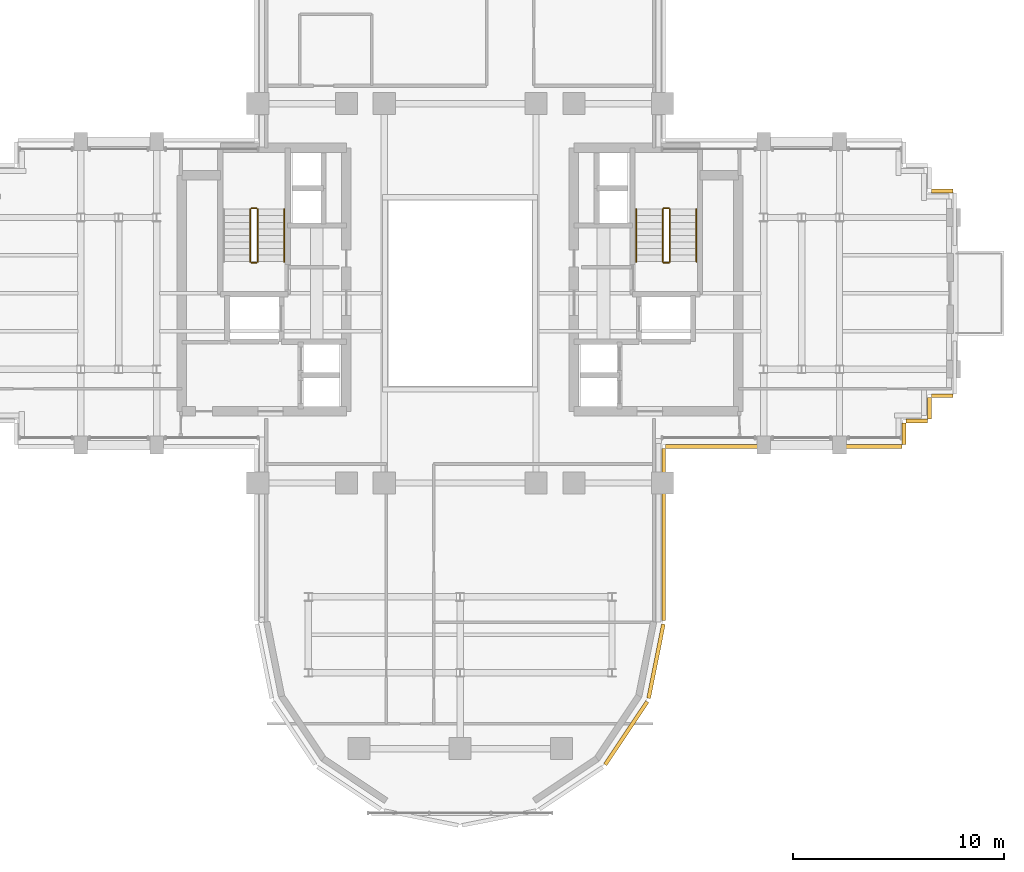
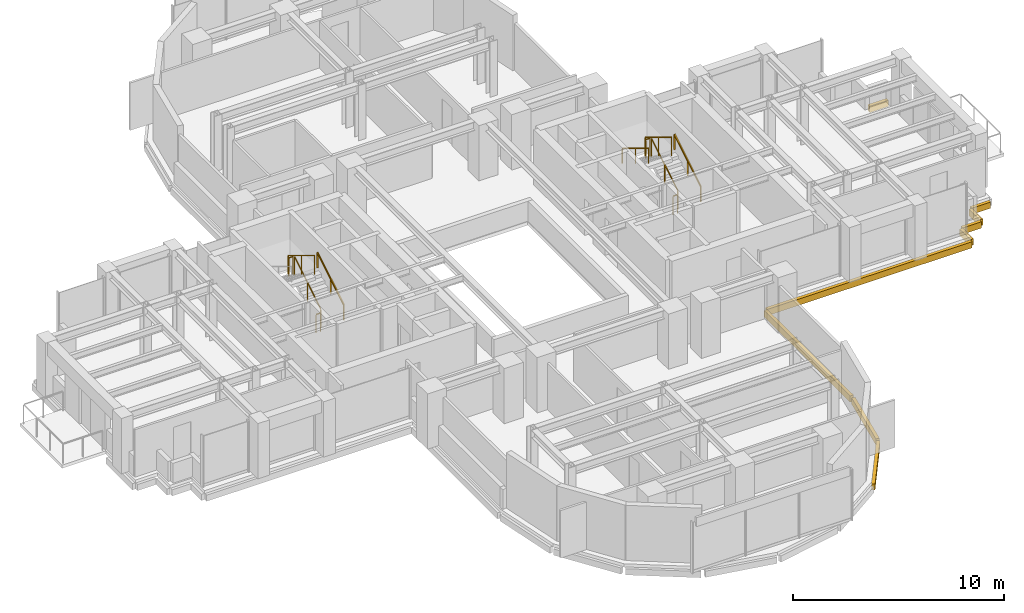
# One storey, part 12 of 13: 11 railings, 9 coverings.
"""IFC4 building model written with IfcOpenShell, lengths in metres."""

import ifcopenshell
import ifcopenshell.guid

model = None  # the IFC model being written
_history = None  # IfcOwnerHistory: only IFC2X3 demands one
_inside = {}  # id of a spatial element -> (the spatial element, [elements in it])
_under = {}  # id of a project, library or spatial element -> (it, [spatial elements below it])
_declared = {}  # id of a project -> (the project, [libraries it declares])
_typed = {}  # id of a type object -> (the type object, [elements of that type])
_made_of = {}  # id of a material, layer set ... -> (it, [elements and type objects made of it])


def new_model(schema):
    """Start an empty IFC model of exactly this schema.

    Asked for "IFC4X3", IfcOpenShell would pick the latest addendum, in which some entities
    have other attributes; the version numbers below select the first issue.
    IFC2X3 requires an IfcOwnerHistory on every rooted entity: one is made here for all.
    """
    global model, _history
    if schema == "IFC4X3":
        model = ifcopenshell.file(schema_version=(4, 3, 0, 0))
    else:
        model = ifcopenshell.file(schema=schema)
    _inside.clear()
    _under.clear()
    _declared.clear()
    _typed.clear()
    _made_of.clear()
    _history = None
    if model.schema == "IFC2X3":
        org = make("IfcOrganization", Name="unknown")
        user = make(
            "IfcPersonAndOrganization",
            ThePerson=make("IfcPerson", FamilyName="unknown"),
            TheOrganization=org,
        )
        app = make(
            "IfcApplication",
            ApplicationDeveloper=org,
            Version="unknown",
            ApplicationFullName="unknown",
            ApplicationIdentifier="unknown",
        )
        _history = make(
            "IfcOwnerHistory",
            OwningUser=user,
            OwningApplication=app,
            ChangeAction="ADDED",
            CreationDate=0,
        )
    return model


def make(cls, **values):
    """One entity of the class cls with the attributes given. An attribute that is None is left unset."""
    return model.create_entity(
        cls, **{name: value for name, value in values.items() if value is not None}
    )


def rooted(cls, **values):
    """An entity with a GlobalId (a new one), such as an element, a storey or a relation."""
    return make(cls, GlobalId=ifcopenshell.guid.new(), OwnerHistory=_history, **values)


def si_unit(unit_type, name, prefix=None):
    """IfcSIUnit, for example si_unit("LENGTHUNIT", "METRE", prefix="MILLI")."""
    return make("IfcSIUnit", UnitType=unit_type, Prefix=prefix, Name=name)


def assignment(units):
    """IfcUnitAssignment: the units of a project."""
    return None if units is None else make("IfcUnitAssignment", Units=units)


def point(xyz):
    """IfcCartesianPoint."""
    return None if xyz is None else make("IfcCartesianPoint", Coordinates=xyz)


def direction(xyz):
    """IfcDirection."""
    return None if xyz is None else make("IfcDirection", DirectionRatios=xyz)


def frame(location, z_axis=None, x_axis=None):
    """IfcAxis2Placement3D, a coordinate frame: its origin and axes. An axis left out is left unset."""
    return make(
        "IfcAxis2Placement3D",
        Location=point(location),
        Axis=direction(z_axis),
        RefDirection=direction(x_axis),
    )


def frame_2d(location, x_axis=None):
    """IfcAxis2Placement2D, a coordinate frame in the plane: its origin and x axis."""
    return make(
        "IfcAxis2Placement2D", Location=point(location), RefDirection=direction(x_axis)
    )


def origin():
    """The frame at (0, 0, 0) with its axes left unset."""
    return frame((0.0, 0.0, 0.0))


def origin_2d():
    """The frame at (0, 0) in the plane with its x axis left unset."""
    return frame_2d((0.0, 0.0))


def place(relative_to, where):
    """IfcLocalPlacement: puts the frame where relative to a parent placement (None: the world)."""
    return make(
        "IfcLocalPlacement", PlacementRelTo=relative_to, RelativePlacement=where
    )


def context(
    kind, dimensions, precision=None, world=None, true_north=None, identifier=None
):
    """IfcGeometricRepresentationContext, for example the 3D "Model" context."""
    return make(
        "IfcGeometricRepresentationContext",
        ContextIdentifier=identifier,
        ContextType=kind,
        CoordinateSpaceDimension=dimensions,
        Precision=precision,
        WorldCoordinateSystem=world,
        TrueNorth=true_north,
    )


def subcontext(parent, identifier, kind, view, scale=None):
    """IfcGeometricRepresentationSubContext, for example "Body" below "Model"."""
    return make(
        "IfcGeometricRepresentationSubContext",
        ContextIdentifier=identifier,
        ContextType=kind,
        ParentContext=parent,
        TargetScale=scale,
        TargetView=view,
    )


def project(units=None, contexts=None):
    """IfcProject with its units and contexts."""
    return rooted(
        "IfcProject",
        Name="project",
        RepresentationContexts=contexts,
        UnitsInContext=assignment(units),
    )


def spatial(cls, under=None, at=None, **own):
    """A site, building, storey or space (cls), placed at a placement, below another one or the project."""
    s = rooted(cls, ObjectPlacement=at, **own)
    if under is not None:
        _under.setdefault(under.id(), (under, []))[1].append(s)
    return s


def profile(cls, at=None, kind="AREA", **sizes):
    """A parametric profile (cls). Its sizes go by their IFC names, for example OverallWidth=200.0."""
    return make(cls, ProfileType=kind, Position=at, **sizes)


def rectangle(**sizes):
    """IfcRectangleProfileDef."""
    return profile("IfcRectangleProfileDef", **sizes)


def extrude(swept, where, along, depth):
    """IfcExtrudedAreaSolid: the profile swept, set in the frame where, extruded along a direction by depth."""
    return make(
        "IfcExtrudedAreaSolid",
        SweptArea=swept,
        Position=where,
        ExtrudedDirection=direction(along),
        Depth=depth,
    )


def shape(context_of_items, identifier, shape_type, items):
    """IfcShapeRepresentation: the items that make up one representation, for example the "Body"."""
    return make(
        "IfcShapeRepresentation",
        ContextOfItems=context_of_items,
        RepresentationIdentifier=identifier,
        RepresentationType=shape_type,
        Items=items,
    )


def source(mapping_origin, context_of_items, identifier, shape_type, items):
    """IfcRepresentationMap: a shape defined once, which mapped items show again and again."""
    return make(
        "IfcRepresentationMap",
        MappingOrigin=mapping_origin,
        MappedRepresentation=shape(context_of_items, identifier, shape_type, items),
    )


def transform(
    local_origin,
    x_axis=None,
    y_axis=None,
    z_axis=None,
    scale=None,
    scale2=None,
    scale3=None,
    uniform=True,
):
    """IfcCartesianTransformationOperator3D, or its non-uniform kind. x_axis, y_axis, z_axis: its Axis1, 2, 3."""
    if uniform:
        return make(
            "IfcCartesianTransformationOperator3D",
            Axis1=direction(x_axis),
            Axis2=direction(y_axis),
            LocalOrigin=point(local_origin),
            Scale=scale,
            Axis3=direction(z_axis),
        )
    return make(
        "IfcCartesianTransformationOperator3DnonUniform",
        Axis1=direction(x_axis),
        Axis2=direction(y_axis),
        LocalOrigin=point(local_origin),
        Scale=scale,
        Axis3=direction(z_axis),
        Scale2=scale2,
        Scale3=scale3,
    )


def mapped(mapping_source, mapping_target):
    """IfcMappedItem: shows the shape of a source again, moved by a transform."""
    return make(
        "IfcMappedItem", MappingSource=mapping_source, MappingTarget=mapping_target
    )


def material(Name=None, Category=None):
    """IfcMaterial."""
    return make("IfcMaterial", Name=Name, Category=Category)


def layer(
    of_material, thickness, ventilated=None, Name=None, Category=None, Priority=None
):
    """IfcMaterialLayer: one layer of a wall or slab, of a material (None: an air gap)."""
    return make(
        "IfcMaterialLayer",
        Material=of_material,
        LayerThickness=thickness,
        IsVentilated=ventilated,
        Name=Name,
        Category=Category,
        Priority=Priority,
    )


def layer_set(layers, Name=None):
    """IfcMaterialLayerSet."""
    return make("IfcMaterialLayerSet", MaterialLayers=layers, LayerSetName=Name)


def made_of(thing, what):
    """Note that an element or type object is made of a material, layer set ...; save() writes the relation."""
    if what is not None:
        _made_of.setdefault(what.id(), (what, []))[1].append(thing)
    return thing


def type_object(cls, material=None, **own):
    """A type object (cls), such as IfcWallType, which elements share."""
    return made_of(rooted(cls, **own), material)


def element(
    cls,
    number,
    at=None,
    inside=None,
    cuts=None,
    type_object=None,
    material=None,
    context=None,
    identifier="Body",
    shape_type=None,
    held_by="IfcProductDefinitionShape",
    body=None,
    shapes=None,
    **own,
):
    """One element of the class cls, such as IfcWall. Its Tag is "e" and its number.

    at: its placement. inside: the storey or other place that contains it. cuts: it is an
    opening in that element (IfcRelVoidsElement). A single representation is given by context,
    identifier, shape_type and body (its items); several are given by shapes. held_by: the class
    of the entity that holds the representations. save() writes the other relations.
    """
    e = rooted(cls, Tag="e%d" % number, ObjectPlacement=at, **own)
    if body is not None:
        shapes = [shape(context, identifier, shape_type, body)]
    if shapes is not None:
        e.Representation = make(held_by, Representations=shapes)
    if inside is not None:
        _inside.setdefault(inside.id(), (inside, []))[1].append(e)
    if cuts is not None:
        rooted(
            "IfcRelVoidsElement", RelatingBuildingElement=cuts, RelatedOpeningElement=e
        )
    if type_object is not None:
        _typed.setdefault(type_object.id(), (type_object, []))[1].append(e)
    return made_of(e, material)


def aggregate(whole, parts):
    """IfcRelAggregates: a whole, such as a stair, and the parts it consists of."""
    return rooted("IfcRelAggregates", RelatingObject=whole, RelatedObjects=parts)


def save(model, path):
    """Write the relations noted so far, then the file.

    IfcRelAggregates (storeys below a building ...), IfcRelContainedInSpatialStructure (elements
    in a storey), IfcRelDefinesByType, IfcRelAssociatesMaterial and IfcRelDeclares: one each for
    every whole, place, type object, material and project.
    """
    for whole, parts in _under.values():
        aggregate(whole, parts)
    for where, things in _inside.values():
        rooted(
            "IfcRelContainedInSpatialStructure",
            RelatedElements=things,
            RelatingStructure=where,
        )
    for kind, things in _typed.values():
        rooted("IfcRelDefinesByType", RelatedObjects=things, RelatingType=kind)
    for what, things in _made_of.values():
        rooted("IfcRelAssociatesMaterial", RelatedObjects=things, RelatingMaterial=what)
    for by, libraries in _declared.values():
        rooted("IfcRelDeclares", RelatingContext=by, RelatedDefinitions=libraries)
    model.write(path)


model = new_model("IFC4")

# Units and contexts
model_context = context("Model", 3, precision=1e-05, world=origin(), true_north=direction((0.0, 1.0)))
body_context = subcontext(model_context, "Body", "Model", "MODEL_VIEW")
ifc_project = project(units=[si_unit("LENGTHUNIT", "METRE"), si_unit("AREAUNIT", "SQUARE_METRE"), si_unit("VOLUMEUNIT", "CUBIC_METRE"), si_unit("PLANEANGLEUNIT", "RADIAN"), si_unit("MASSUNIT", "GRAM", prefix="KILO")], contexts=[model_context])

# Site, building, storey
site_placement = place(None, origin())
site = spatial("IfcSite", under=ifc_project, at=site_placement, CompositionType="ELEMENT")
building_placement = place(site_placement, origin())
building = spatial("IfcBuilding", under=site, at=building_placement, Name="Keilestroom Media Tower", CompositionType="ELEMENT")
storey_placement = place(building_placement, frame((0.0, 0.0, 100.60009765625)))
storey = spatial("IfcBuildingStorey", under=building, at=storey_placement, Name="L26", CompositionType="ELEMENT", Elevation=100.60009765625)

# Railings
ifc_material_1 = material(Name="Brushed Stainless Steel 1.4301", Category="steel")
railing_type_1 = type_object("IfcRailingType", Name="Stair-Pitch-Handrail-920", PredefinedType="HANDRAIL", material=ifc_material_1)
for number, where, name in (
    (1, (-8.35009765625, 1.5, 0.188720703125), "L26 ST-1 stair handrail 1"),
    (2, (11.2099609375, 1.5, 0.188720703125), "L26 ST-2 stair handrail 1"),
):
    element("IfcRailing", number, at=place(storey_placement, frame(where)), inside=storey, type_object=railing_type_1, Name=name, PredefinedType="HANDRAIL", context=body_context, shape_type="SweptSolid", body=[
        extrude(rectangle(XDim=0.048095703125, YDim=0.048095703125, at=origin_2d()), frame((0.0, 0.0, 0.8759765625), z_axis=(0.0, 0.855433747314, 0.517912255074), x_axis=(-1.0, 0.0, 0.0)), (0.0, 0.0, 1.0), 2.91796875),
        extrude(rectangle(XDim=0.0419921875, YDim=0.0419921875, at=origin_2d()), origin(), (0.0, 0.0, 1.0), 0.84375),
        extrude(rectangle(XDim=0.0419921875, YDim=0.0419921875, at=origin_2d()), frame((0.0, 1.248046875, 0.755615234375)), (0.0, 0.0, 1.0), 0.84375),
        extrude(rectangle(XDim=0.0419921875, YDim=0.0419921875, at=origin_2d()), frame((0.0, 2.49609375, 1.51123046875)), (0.0, 0.0, 1.0), 0.84375),
    ])
railing_1_placement = place(storey_placement, frame((8.35009765625, 3.99609375, 1.888671875)))
element("IfcRailing", 3, at=railing_1_placement, inside=storey, type_object=railing_type_1, Name="L26 ST-2 stair handrail 2", PredefinedType="HANDRAIL", context=body_context, shape_type="SweptSolid", body=[
    extrude(rectangle(XDim=0.048095703125, YDim=0.048095703125, at=origin_2d()), frame((0.0, 0.0, 0.8759765625), z_axis=(0.0, -0.855433747314, 0.517912255074), x_axis=(1.0, 0.0, 0.0)), (0.0, 0.0, 1.0), 2.91796875),
    extrude(rectangle(XDim=0.0419921875, YDim=0.0419921875, at=origin_2d()), origin(), (0.0, 0.0, 1.0), 0.84375),
    extrude(rectangle(XDim=0.0419921875, YDim=0.0419921875, at=origin_2d()), frame((0.0, -1.248046875, 0.755615234375)), (0.0, 0.0, 1.0), 0.84375),
    extrude(rectangle(XDim=0.0419921875, YDim=0.0419921875, at=origin_2d()), frame((0.0, -2.49609375, 1.51123046875)), (0.0, 0.0, 1.0), 0.84375),
])
ifc_material_2 = material(Name="Painted Steel Balustrade", Category="steel")
railing_type_2 = type_object("IfcRailingType", Name="Stair-Well-And-Landing-Guard-1100", PredefinedType="GUARDRAIL", material=ifc_material_2)
railing_2_placement = place(storey_placement, frame((-9.610107421875, 1.5, 0.188720703125)))
element("IfcRailing", 4, at=railing_2_placement, inside=storey, type_object=railing_type_2, Name="L26 ST-1 stair guard 1", PredefinedType="GUARDRAIL", context=body_context, shape_type="SweptSolid", body=[
    extrude(rectangle(XDim=0.048095703125, YDim=0.048095703125, at=origin_2d()), frame((0.0, 0.0, 1.076171875), z_axis=(0.0, 0.855433747314, 0.517912255074), x_axis=(-1.0, 0.0, 0.0)), (0.0, 0.0, 1.0), 2.91796875),
    extrude(rectangle(XDim=0.0419921875, YDim=0.0419921875, at=origin_2d()), origin(), (0.0, 0.0, 1.0), 1.0439453125),
    extrude(rectangle(XDim=0.0419921875, YDim=0.0419921875, at=origin_2d()), frame((0.0, 1.248046875, 0.755615234375)), (0.0, 0.0, 1.0), 1.0439453125),
    extrude(rectangle(XDim=0.0419921875, YDim=0.0419921875, at=origin_2d()), frame((0.0, 2.49609375, 1.51123046875)), (0.0, 0.0, 1.0), 1.0439453125),
])
railing_3_placement = place(storey_placement, frame((-9.659912109375, 4.0458984375, 1.699951171875)))
element("IfcRailing", 5, at=railing_3_placement, inside=storey, type_object=railing_type_2, Name="L26 ST-1 stair guard 2", PredefinedType="GUARDRAIL", context=body_context, shape_type="SweptSolid", body=[
    extrude(rectangle(XDim=0.048095703125, YDim=0.048095703125, at=origin_2d()), frame((0.0, 0.0, 1.076171875), z_axis=(-1.0, 0.0, 0.0), x_axis=(0.0, -1.0, 0.0)), (0.0, 0.0, 1.0), 0.239990234375),
    extrude(rectangle(XDim=0.0419921875, YDim=0.0419921875, at=origin_2d()), origin(), (0.0, 0.0, 1.0), 1.0439453125),
    extrude(rectangle(XDim=0.0419921875, YDim=0.0419921875, at=origin_2d()), frame((-0.239990234375, 0.0, 0.0)), (0.0, 0.0, 1.0), 1.0439453125),
])
railing_4_placement = place(storey_placement, frame((-9.949951171875, 3.99609375, 1.888671875)))
element("IfcRailing", 6, at=railing_4_placement, inside=storey, type_object=railing_type_2, Name="L26 ST-1 stair guard 3", PredefinedType="GUARDRAIL", context=body_context, shape_type="SweptSolid", body=[
    extrude(rectangle(XDim=0.048095703125, YDim=0.048095703125, at=origin_2d()), frame((0.0, 0.0, 1.076171875), z_axis=(0.0, -0.855433747314, 0.517912255074), x_axis=(1.0, 0.0, 0.0)), (0.0, 0.0, 1.0), 2.91796875),
    extrude(rectangle(XDim=0.0419921875, YDim=0.0419921875, at=origin_2d()), origin(), (0.0, 0.0, 1.0), 1.0439453125),
    extrude(rectangle(XDim=0.0419921875, YDim=0.0419921875, at=origin_2d()), frame((0.0, -1.248046875, 0.755615234375)), (0.0, 0.0, 1.0), 1.0439453125),
    extrude(rectangle(XDim=0.0419921875, YDim=0.0419921875, at=origin_2d()), frame((0.0, -2.49609375, 1.51123046875)), (0.0, 0.0, 1.0), 1.0439453125),
])
railing_5_placement = place(storey_placement, frame((-9.659912109375, 1.449951171875, 0.0)))
element("IfcRailing", 7, at=railing_5_placement, inside=storey, type_object=railing_type_2, Name="L26 ST-1 stair guard 4", PredefinedType="GUARDRAIL", context=body_context, shape_type="SweptSolid", body=[
    extrude(rectangle(XDim=0.048095703125, YDim=0.048095703125, at=origin_2d()), frame((0.0, 0.0, 1.076171875), z_axis=(-1.0, 0.0, 0.0), x_axis=(0.0, -1.0, 0.0)), (0.0, 0.0, 1.0), 0.239990234375),
    extrude(rectangle(XDim=0.0419921875, YDim=0.0419921875, at=origin_2d()), origin(), (0.0, 0.0, 1.0), 1.0439453125),
    extrude(rectangle(XDim=0.0419921875, YDim=0.0419921875, at=origin_2d()), frame((-0.239990234375, 0.0, 0.0)), (0.0, 0.0, 1.0), 1.0439453125),
])
railing_6_placement = place(storey_placement, frame((9.949951171875, 1.5, 0.188720703125)))
element("IfcRailing", 8, at=railing_6_placement, inside=storey, type_object=railing_type_2, Name="L26 ST-2 stair guard 1", PredefinedType="GUARDRAIL", context=body_context, shape_type="SweptSolid", body=[
    extrude(rectangle(XDim=0.048095703125, YDim=0.048095703125, at=origin_2d()), frame((0.0, 0.0, 1.076171875), z_axis=(0.0, 0.855433747314, 0.517912255074), x_axis=(-1.0, 0.0, 0.0)), (0.0, 0.0, 1.0), 2.91796875),
    extrude(rectangle(XDim=0.0419921875, YDim=0.0419921875, at=origin_2d()), origin(), (0.0, 0.0, 1.0), 1.0439453125),
    extrude(rectangle(XDim=0.0419921875, YDim=0.0419921875, at=origin_2d()), frame((0.0, 1.248046875, 0.755615234375)), (0.0, 0.0, 1.0), 1.0439453125),
    extrude(rectangle(XDim=0.0419921875, YDim=0.0419921875, at=origin_2d()), frame((0.0, 2.49609375, 1.51123046875)), (0.0, 0.0, 1.0), 1.0439453125),
])
railing_7_placement = place(storey_placement, frame((9.89990234375, 4.0458984375, 1.699951171875)))
element("IfcRailing", 9, at=railing_7_placement, inside=storey, type_object=railing_type_2, Name="L26 ST-2 stair guard 2", PredefinedType="GUARDRAIL", context=body_context, shape_type="SweptSolid", body=[
    extrude(rectangle(XDim=0.048095703125, YDim=0.048095703125, at=origin_2d()), frame((0.0, 0.0, 1.076171875), z_axis=(-1.0, 0.0, 0.0), x_axis=(0.0, -1.0, 0.0)), (0.0, 0.0, 1.0), 0.239990234375),
    extrude(rectangle(XDim=0.0419921875, YDim=0.0419921875, at=origin_2d()), origin(), (0.0, 0.0, 1.0), 1.0439453125),
    extrude(rectangle(XDim=0.0419921875, YDim=0.0419921875, at=origin_2d()), frame((-0.239990234375, 0.0, 0.0)), (0.0, 0.0, 1.0), 1.0439453125),
])
railing_8_placement = place(storey_placement, frame((9.610107421875, 3.99609375, 1.888671875)))
element("IfcRailing", 10, at=railing_8_placement, inside=storey, type_object=railing_type_2, Name="L26 ST-2 stair guard 3", PredefinedType="GUARDRAIL", context=body_context, shape_type="SweptSolid", body=[
    extrude(rectangle(XDim=0.048095703125, YDim=0.048095703125, at=origin_2d()), frame((0.0, 0.0, 1.076171875), z_axis=(0.0, -0.855433747314, 0.517912255074), x_axis=(1.0, 0.0, 0.0)), (0.0, 0.0, 1.0), 2.91796875),
    extrude(rectangle(XDim=0.0419921875, YDim=0.0419921875, at=origin_2d()), origin(), (0.0, 0.0, 1.0), 1.0439453125),
    extrude(rectangle(XDim=0.0419921875, YDim=0.0419921875, at=origin_2d()), frame((0.0, -1.248046875, 0.755615234375)), (0.0, 0.0, 1.0), 1.0439453125),
    extrude(rectangle(XDim=0.0419921875, YDim=0.0419921875, at=origin_2d()), frame((0.0, -2.49609375, 1.51123046875)), (0.0, 0.0, 1.0), 1.0439453125),
])
railing_9_placement = place(storey_placement, frame((9.89990234375, 1.449951171875, 0.0)))
element("IfcRailing", 11, at=railing_9_placement, inside=storey, type_object=railing_type_2, Name="L26 ST-2 stair guard 4", PredefinedType="GUARDRAIL", context=body_context, shape_type="SweptSolid", body=[
    extrude(rectangle(XDim=0.048095703125, YDim=0.048095703125, at=origin_2d()), frame((0.0, 0.0, 1.076171875), z_axis=(-1.0, 0.0, 0.0), x_axis=(0.0, -1.0, 0.0)), (0.0, 0.0, 1.0), 0.239990234375),
    extrude(rectangle(XDim=0.0419921875, YDim=0.0419921875, at=origin_2d()), origin(), (0.0, 0.0, 1.0), 1.0439453125),
    extrude(rectangle(XDim=0.0419921875, YDim=0.0419921875, at=origin_2d()), frame((-0.239990234375, 0.0, 0.0)), (0.0, 0.0, 1.0), 1.0439453125),
])

# Coverings
ifc_material_3 = material(Name="Precast concrete C40/50", Category="concrete")
ifc_layer = layer(ifc_material_3, 0.1201171875)
ifc_layer_set = layer_set([ifc_layer], Name="Precast concrete C40/50")
covering_type = type_object("IfcCoveringType", Name="Exterior-Precast-Spandrel-Cladding-Panel-120", PredefinedType="CLADDING", material=ifc_layer_set)
shared_shape_1 = source(origin(), body_context, "Body", "SweptSolid", [
    extrude(rectangle(XDim=1.02001953125, YDim=0.179931640625, at=origin_2d()), origin(), (0.0, 0.0, 1.0), 0.360107421875),
])
for number, where, z_axis, x_axis, name in (
    (12, (22.860107421875, -4.860107421875, -0.5400390625), (0.0, 0.0, 1.0), (-1.0, 0.0, 0.0), "L26 Precast Slab-Edge Fascia Cornice 01"),
    (13, (22.260009765625, -5.4599609375, -0.5400390625), (0.0, 0.0, 1.0), (0.0, -1.0, 0.0), "L26 Precast Slab-Edge Fascia Cornice 02"),
    (14, (21.659912109375, -6.06005859375, -0.5400390625), (0.0, 0.0, 1.0), (-1.0, 0.0, 0.0), "L26 Precast Slab-Edge Fascia Cornice 03"),
    (15, (21.06005859375, -6.659912109375, -0.5400390625), (0.0, 0.0, 1.0), (0.0, -1.0, 0.0), "L26 Precast Slab-Edge Fascia Cornice 04"),
    (16, (22.860107421875, 4.860107421875, -0.5400390625), (0.0, 0.0, 1.0), (1.0, 0.0, 0.0), "L26 Precast Slab-Edge Fascia Cornice 42"),
):
    element("IfcCovering", number, at=place(storey_placement, frame(where, z_axis=z_axis, x_axis=x_axis)), inside=storey, type_object=covering_type, Name=name, PredefinedType="CLADDING", context=body_context, shape_type="MappedRepresentation", body=[
        mapped(shared_shape_1, transform((0.0, 0.0, 0.0), x_axis=(1.0, 0.0, 0.0), y_axis=(0.0, 1.0, 0.0), z_axis=(0.0, 0.0, 1.0), scale=1.0)),
    ])
shared_shape_2 = source(origin(), body_context, "Body", "SweptSolid", [
    extrude(rectangle(XDim=8.166015625, YDim=0.179931640625, at=origin_2d()), origin(), (0.0, 0.0, 1.0), 0.360107421875),
])
covering_1_placement = place(storey_placement, frame((9.659912109375, -11.43310546875, -0.5400390625), z_axis=(0.0, 0.0, 1.0), x_axis=(0.0, -1.0, 0.0)))
element("IfcCovering", 17, at=covering_1_placement, inside=storey, type_object=covering_type, Name="L26 Precast Slab-Edge Fascia Cornice 06", PredefinedType="CLADDING", context=body_context, shape_type="MappedRepresentation", body=[
    mapped(shared_shape_2, transform((0.0, 0.0, 0.0), x_axis=(1.0, 0.0, 0.0), y_axis=(0.0, 1.0, 0.0), z_axis=(0.0, 0.0, 1.0), scale=1.0)),
])
shared_shape_3 = source(origin(), body_context, "Body", "SweptSolid", [
    extrude(rectangle(XDim=3.58349609375, YDim=0.179931640625, at=origin_2d()), origin(), (0.0, 0.0, 1.0), 0.360107421875),
])
covering_2_placement = place(storey_placement, frame((9.29296875, -17.45166015625, -0.5400390625), z_axis=(0.0, 0.0, 1.0), x_axis=(-0.195098880975, -0.980783577882, 0.0)))
element("IfcCovering", 18, at=covering_2_placement, inside=storey, type_object=covering_type, Name="L26 Precast Slab-Edge Fascia Cornice 07", PredefinedType="CLADDING", context=body_context, shape_type="MappedRepresentation", body=[
    mapped(shared_shape_3, transform((0.0, 0.0, 0.0), x_axis=(1.0, 0.0, 0.0), y_axis=(0.0, 1.0, 0.0), z_axis=(0.0, 0.0, 1.0), scale=1.0)),
])
shared_shape_4 = source(origin(), body_context, "Body", "SweptSolid", [
    extrude(rectangle(XDim=3.589599609375, YDim=0.179931640625, at=origin_2d()), origin(), (0.0, 0.0, 1.0), 0.360107421875),
])
covering_3_placement = place(storey_placement, frame((7.878662109375, -20.8642578125, -0.5400390625), z_axis=(0.0, 0.0, 1.0), x_axis=(-0.555574586577, -0.831466703332, 0.0)))
element("IfcCovering", 19, at=covering_3_placement, inside=storey, type_object=covering_type, Name="L26 Precast Slab-Edge Fascia Cornice 08", PredefinedType="CLADDING", context=body_context, shape_type="MappedRepresentation", body=[
    mapped(shared_shape_4, transform((0.0, 0.0, 0.0), x_axis=(1.0, 0.0, 0.0), y_axis=(0.0, 1.0, 0.0), z_axis=(0.0, 0.0, 1.0), scale=1.0)),
])
shared_shape_5 = source(origin(), body_context, "Body", "SweptSolid", [
    extrude(rectangle(XDim=11.219970703125, YDim=0.179931640625, at=origin_2d()), origin(), (0.0, 0.0, 1.0), 0.360107421875),
])
covering_4_placement = place(storey_placement, frame((15.360107421875, -7.260009765625, -0.5400390625), z_axis=(0.0, 0.0, 1.0), x_axis=(-1.0, 0.0, 0.0)))
element("IfcCovering", 20, at=covering_4_placement, inside=storey, type_object=covering_type, Name="L26 Precast Slab-Edge Fascia Cornice 05", PredefinedType="CLADDING", context=body_context, shape_type="MappedRepresentation", body=[
    mapped(shared_shape_5, transform((0.0, 0.0, 0.0), x_axis=(1.0, 0.0, 0.0), y_axis=(0.0, 1.0, 0.0), z_axis=(0.0, 0.0, 1.0), scale=1.0)),
])

save(model, "model.ifc")
